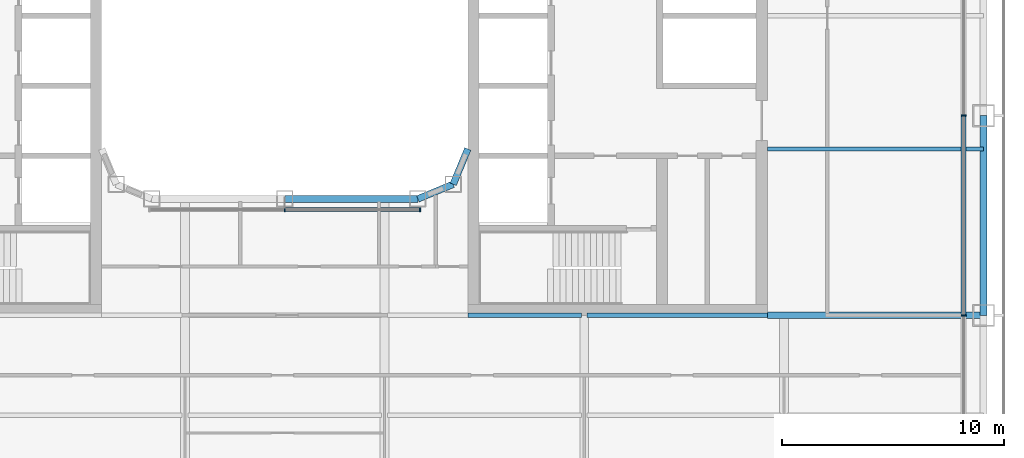
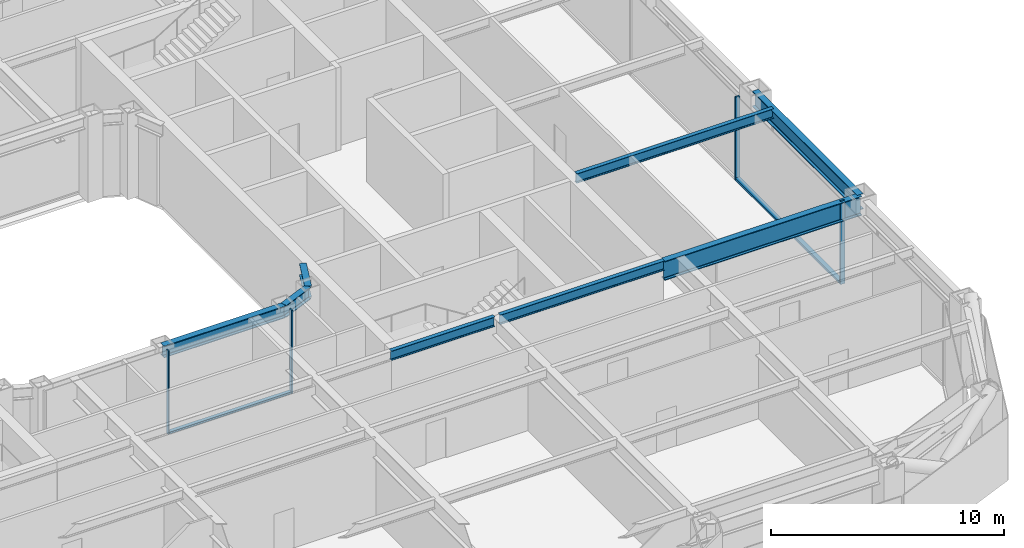
# One storey, part 5 of 24: 8 beams, 6 members, 2 elements without a shape of their own.
"""IFC4 building model written with IfcOpenShell, lengths in metres."""

from ifc_helpers import new_model, si_unit, direction, frame, origin, origin_2d, place, context, subcontext, project, spatial, rectangle, i_section, extrude, material, layer, layer_set, material_profile, profile_set, type_object, element, aggregate, save


model = new_model("IFC4")

# Units and contexts
model_context = context("Model", 3, precision=1e-05, world=origin(), true_north=direction((0.0, 1.0)))
body_context = subcontext(model_context, "Body", "Model", "MODEL_VIEW")
ifc_project = project(units=[si_unit("LENGTHUNIT", "METRE"), si_unit("AREAUNIT", "SQUARE_METRE"), si_unit("VOLUMEUNIT", "CUBIC_METRE"), si_unit("PLANEANGLEUNIT", "RADIAN"), si_unit("MASSUNIT", "GRAM", prefix="KILO")], contexts=[model_context])

# Site, building, storey
site_placement = place(None, origin())
site = spatial("IfcSite", under=ifc_project, at=site_placement, CompositionType="ELEMENT")
building_placement = place(site_placement, origin())
building = spatial("IfcBuilding", under=site, at=building_placement, Name="Siwar Civic Tower", CompositionType="ELEMENT")
storey_placement = place(building_placement, frame((0.0, 0.0, 76.199951171875)))
storey = spatial("IfcBuildingStorey", under=building, at=storey_placement, Name="L16", CompositionType="ELEMENT", Elevation=76.199951171875)

# Curtain wall, members
ifc_material_1 = material(Name="Aluminium and glass", Category="aluminium")
ifc_layer_1 = layer(ifc_material_1, 0.219970703125)
ifc_layer_set_1 = layer_set([ifc_layer_1], Name="Aluminium and glass")
curtain_wall_type_1 = type_object("IfcCurtainWallType", Name="ENV-CW-A", PredefinedType="NOTDEFINED", material=ifc_layer_set_1)
curtain_wall_1_placement = place(storey_placement, origin())
curtain_wall_1 = element("IfcCurtainWall", 1, at=curtain_wall_1_placement, inside=storey, type_object=curtain_wall_type_1, Name="Curtain wall A E", PredefinedType="NOTDEFINED")
ifc_material_2 = material(Name="Aluminium 6063-T6", Category="aluminium")
ifc_material_profile_1 = material_profile(ifc_material_2, rectangle(XDim=0.219970703125, YDim=0.070068359375, at=origin_2d()), Name="AL 220x70")
ifc_profile_set_1 = profile_set([ifc_material_profile_1], Name="Aluminium 6063-T6")
member_type_1 = type_object("IfcMemberType", Name="ENV-MULLION-A", PredefinedType="MULLION", material=ifc_profile_set_1)
member_1_placement = place(storey_placement, frame((30.60009765625, -13.5, 0.0), z_axis=(0.0, 0.0, 1.0), x_axis=(-1.0, 0.0, 0.0)))
member_1 = element("IfcMember", 2, at=member_1_placement, type_object=member_type_1, Name="Mullion A E 2", PredefinedType="MULLION", context=body_context, shape_type="SweptSolid", body=[
    extrude(rectangle(XDim=0.219970703125, YDim=0.070068359375, at=origin_2d()), origin(), (0.0, 0.0, 1.0), 4.35009765625),
])
member_2_placement = place(storey_placement, frame((30.60009765625, -4.5, 0.0), z_axis=(0.0, 0.0, 1.0), x_axis=(-1.0, 0.0, 0.0)))
member_2 = element("IfcMember", 3, at=member_2_placement, type_object=member_type_1, Name="Mullion A E 3", PredefinedType="MULLION", context=body_context, shape_type="SweptSolid", body=[
    extrude(rectangle(XDim=0.219970703125, YDim=0.070068359375, at=origin_2d()), origin(), (0.0, 0.0, 1.0), 4.35009765625),
])

ifc_material_3 = material(Name="Aluminium and glass", Category="aluminium")
ifc_layer_2 = layer(ifc_material_3, 0.179931640625)
ifc_layer_set_2 = layer_set([ifc_layer_2], Name="Aluminium and glass")
curtain_wall_type_2 = type_object("IfcCurtainWallType", Name="ENV-CW-W", PredefinedType="NOTDEFINED", material=ifc_layer_set_2)
curtain_wall_2_placement = place(storey_placement, origin())
curtain_wall_2 = element("IfcCurtainWall", 4, at=curtain_wall_2_placement, inside=storey, type_object=curtain_wall_type_2, Name="Curtain wall W WS", PredefinedType="NOTDEFINED")
ifc_material_4 = material(Name="Aluminium 6063-T6", Category="aluminium")
ifc_material_profile_2 = material_profile(ifc_material_4, rectangle(XDim=0.179931640625, YDim=0.06005859375, at=origin_2d()), Name="AL 180x60")
ifc_profile_set_2 = profile_set([ifc_material_profile_2], Name="Aluminium 6063-T6")
member_type_2 = type_object("IfcMemberType", Name="ENV-MULLION-W", PredefinedType="MULLION", material=ifc_profile_set_2)
member_3_placement = place(storey_placement, frame((0.0, -8.735107421875, 0.0), z_axis=(0.0, 0.0, 1.0), x_axis=(0.0, 1.0, 0.0)))
member_3 = element("IfcMember", 5, at=member_3_placement, type_object=member_type_2, Name="Mullion W WS 2", PredefinedType="MULLION", context=body_context, shape_type="SweptSolid", body=[
    extrude(rectangle(XDim=0.179931640625, YDim=0.06005859375, at=origin_2d()), origin(), (0.0, 0.0, 1.0), 4.35009765625),
])
member_4_placement = place(storey_placement, frame((6.096435546875, -8.735107421875, 0.0), z_axis=(0.0, 0.0, 1.0), x_axis=(0.0, 1.0, 0.0)))
member_4 = element("IfcMember", 6, at=member_4_placement, type_object=member_type_2, Name="Mullion W WS 3", PredefinedType="MULLION", context=body_context, shape_type="SweptSolid", body=[
    extrude(rectangle(XDim=0.179931640625, YDim=0.06005859375, at=origin_2d()), origin(), (0.0, 0.0, 1.0), 4.35009765625),
])

# Member
ifc_material_5 = material(Name="Aluminium 6063-T6", Category="aluminium")
ifc_material_profile_3 = material_profile(ifc_material_5, rectangle(XDim=0.219970703125, YDim=0.1201171875, at=origin_2d()), Name="AL 220x120")
ifc_profile_set_3 = profile_set([ifc_material_profile_3], Name="Aluminium 6063-T6")
member_type_3 = type_object("IfcMemberType", Name="ENV-TRANSOM-A", PredefinedType="USERDEFINED", material=ifc_profile_set_3)
member_5_placement = place(storey_placement, frame((30.60009765625, -13.465087890625, 0.06005859375), z_axis=(0.0, 1.0, 0.0), x_axis=(-1.0, 0.0, 0.0)))
member_5 = element("IfcMember", 7, at=member_5_placement, type_object=member_type_3, Name="Transom A E 2", ObjectType="TRANSOM", PredefinedType="USERDEFINED", context=body_context, shape_type="SweptSolid", body=[
    extrude(rectangle(XDim=0.219970703125, YDim=0.1201171875, at=origin_2d()), origin(), (0.0, 0.0, 1.0), 8.93017578125),
])

aggregate(curtain_wall_1, [member_1, member_2, member_5])

ifc_material_6 = material(Name="Aluminium 6063-T6", Category="aluminium")
ifc_material_profile_4 = material_profile(ifc_material_6, rectangle(XDim=0.179931640625, YDim=0.10009765625, at=origin_2d()), Name="AL 180x100")
ifc_profile_set_4 = profile_set([ifc_material_profile_4], Name="Aluminium 6063-T6")
member_type_4 = type_object("IfcMemberType", Name="ENV-TRANSOM-W", PredefinedType="USERDEFINED", material=ifc_profile_set_4)
member_6_placement = place(storey_placement, frame((0.030029296875, -8.735107421875, 0.050048828125), z_axis=(1.0, 0.0, 0.0), x_axis=(0.0, 1.0, 0.0)))
member_6 = element("IfcMember", 8, at=member_6_placement, type_object=member_type_4, Name="Transom W WS 2", ObjectType="TRANSOM", PredefinedType="USERDEFINED", context=body_context, shape_type="SweptSolid", body=[
    extrude(rectangle(XDim=0.179931640625, YDim=0.10009765625, at=origin_2d()), origin(), (0.0, 0.0, 1.0), 6.036376953125),
])

aggregate(curtain_wall_2, [member_3, member_4, member_6])

# Beams
ifc_material_7 = material(Name="Steel S355", Category="steel")
ifc_material_profile_5 = material_profile(ifc_material_7, i_section(OverallWidth=0.199951171875, OverallDepth=0.5, WebThickness=0.01025390625, FlangeThickness=0.01611328125, FilletRadius=0.02099609375, at=origin_2d()), Name="IPE500")
ifc_profile_set_5 = profile_set([ifc_material_profile_5], Name="Steel S355")
beam_type_1 = type_object("IfcBeamType", Name="STR-FB-IPE500", PredefinedType="JOIST", material=ifc_profile_set_5)
beam_1_placement = place(storey_placement, frame((8.25, -13.5, 4.10009765625), z_axis=(1.0, 0.0, 0.0), x_axis=(0.0, 1.0, 0.0)))
element("IfcBeam", 9, at=beam_1_placement, inside=storey, type_object=beam_type_1, Name="L16/bm/F028", PredefinedType="JOIST", context=body_context, shape_type="SweptSolid", body=[
    extrude(i_section(OverallWidth=0.199951171875, OverallDepth=0.5, WebThickness=0.01025390625, FlangeThickness=0.01611328125, FilletRadius=0.02099609375, at=origin_2d()), origin(), (0.0, 0.0, 1.0), 5.1201171875),
])
beam_2_placement = place(storey_placement, frame((13.6298828125, -13.5, 4.10009765625), z_axis=(1.0, 0.0, 0.0), x_axis=(0.0, 1.0, 0.0)))
element("IfcBeam", 10, at=beam_2_placement, inside=storey, type_object=beam_type_1, Name="L16/bm/F029", PredefinedType="JOIST", context=body_context, shape_type="SweptSolid", body=[
    extrude(i_section(OverallWidth=0.199951171875, OverallDepth=0.5, WebThickness=0.01025390625, FlangeThickness=0.01611328125, FilletRadius=0.02099609375, at=origin_2d()), origin(), (0.0, 0.0, 1.0), 8.1201171875),
])
beam_3_placement = place(storey_placement, frame((21.75, -6.0, 4.10009765625), z_axis=(1.0, 0.0, 0.0), x_axis=(0.0, 1.0, 0.0)))
element("IfcBeam", 11, at=beam_3_placement, inside=storey, type_object=beam_type_1, Name="L16/bm/F032", PredefinedType="JOIST", context=body_context, shape_type="SweptSolid", body=[
    extrude(i_section(OverallWidth=0.199951171875, OverallDepth=0.5, WebThickness=0.01025390625, FlangeThickness=0.01611328125, FilletRadius=0.02099609375, at=origin_2d()), origin(), (0.0, 0.0, 1.0), 9.75),
])
ifc_material_8 = material(Name="Steel S355", Category="steel")
ifc_material_profile_6 = material_profile(ifc_material_8, i_section(OverallWidth=0.300048828125, OverallDepth=1.0, WebThickness=0.01904296875, FlangeThickness=0.035888671875, FilletRadius=0.030029296875, at=origin_2d()), Name="HEB1000")
ifc_profile_set_6 = profile_set([ifc_material_profile_6], Name="Steel S355")
beam_type_2 = type_object("IfcBeamType", Name="STR-PG-HEB1000", PredefinedType="BEAM", material=ifc_profile_set_6)
beam_4_placement = place(storey_placement, frame((21.75, -13.5, 3.85009765625), z_axis=(1.0, 0.0, 0.0), x_axis=(0.0, 1.0, 0.0)))
element("IfcBeam", 12, at=beam_4_placement, inside=storey, type_object=beam_type_2, Name="L16/bm/F030", PredefinedType="BEAM", context=body_context, shape_type="SweptSolid", body=[
    extrude(i_section(OverallWidth=0.300048828125, OverallDepth=1.0, WebThickness=0.01904296875, FlangeThickness=0.035888671875, FilletRadius=0.030029296875, at=origin_2d()), origin(), (0.0, 0.0, 1.0), 9.75),
])
ifc_material_9 = material(Name="Steel S355", Category="steel")
ifc_material_profile_7 = material_profile(ifc_material_9, i_section(OverallWidth=0.304931640625, OverallDepth=0.6201171875, WebThickness=0.02099609375, FlangeThickness=0.0400390625, FilletRadius=0.027099609375, at=origin_2d()), Name="HEM600")
ifc_profile_set_7 = profile_set([ifc_material_profile_7], Name="Steel S355")
beam_type_3 = type_object("IfcBeamType", Name="STR-RB-HEM600", PredefinedType="BEAM", material=ifc_profile_set_7)
beam_5_placement = place(storey_placement, frame((0.0, -8.25, 4.0400390625), z_axis=(1.0, 0.0, 0.0), x_axis=(0.0, 1.0, 0.0)))
element("IfcBeam", 13, at=beam_5_placement, inside=storey, type_object=beam_type_3, Name="L16/bm/RS2", PredefinedType="BEAM", context=body_context, shape_type="SweptSolid", body=[
    extrude(i_section(OverallWidth=0.304931640625, OverallDepth=0.6201171875, WebThickness=0.02099609375, FlangeThickness=0.0400390625, FilletRadius=0.027099609375, at=origin_2d()), origin(), (0.0, 0.0, 1.0), 6.0),
])
for number, where, z_axis, x_axis, name in (
    (14, (6.0, -8.25, 4.0400390625), (0.923901072997, 0.382631424892, 0.0), (-0.382631424892, 0.923901072997, 0.0), "L16/bm/RS3"),
    (15, (7.591064453125, -7.591064453125, 4.0400390625), (0.382631424892, 0.923901072997, 0.0), (-0.923901072997, 0.382631424892, 0.0), "L16/bm/RSEE"),
):
    element("IfcBeam", number, at=place(storey_placement, frame(where, z_axis=z_axis, x_axis=x_axis)), inside=storey, type_object=beam_type_3, Name=name, PredefinedType="BEAM", context=body_context, shape_type="SweptSolid", body=[
        extrude(i_section(OverallWidth=0.304931640625, OverallDepth=0.6201171875, WebThickness=0.02099609375, FlangeThickness=0.0400390625, FilletRadius=0.027099609375, at=origin_2d()), origin(), (0.0, 0.0, 1.0), 1.72216796875),
    ])
ifc_material_10 = material(Name="Steel S355", Category="steel")
ifc_material_profile_8 = material_profile(ifc_material_10, i_section(OverallWidth=0.302978515625, OverallDepth=0.81396484375, WebThickness=0.02099609375, FlangeThickness=0.0400390625, FilletRadius=0.030029296875, at=origin_2d()), Name="HEM800")
ifc_profile_set_8 = profile_set([ifc_material_profile_8], Name="Steel S355")
beam_type_4 = type_object("IfcBeamType", Name="STR-SB-HEM800", PredefinedType="BEAM", material=ifc_profile_set_8)
beam_6_placement = place(storey_placement, frame((31.5, -13.5, 3.943115234375), z_axis=(0.0, 1.0, 0.0), x_axis=(-1.0, 0.0, 0.0)))
element("IfcBeam", 16, at=beam_6_placement, inside=storey, type_object=beam_type_4, Name="L16/bm/SE-1", PredefinedType="BEAM", context=body_context, shape_type="SweptSolid", body=[
    extrude(i_section(OverallWidth=0.302978515625, OverallDepth=0.81396484375, WebThickness=0.02099609375, FlangeThickness=0.0400390625, FilletRadius=0.030029296875, at=origin_2d()), origin(), (0.0, 0.0, 1.0), 9.0),
])

save(model, "model.ifc")
